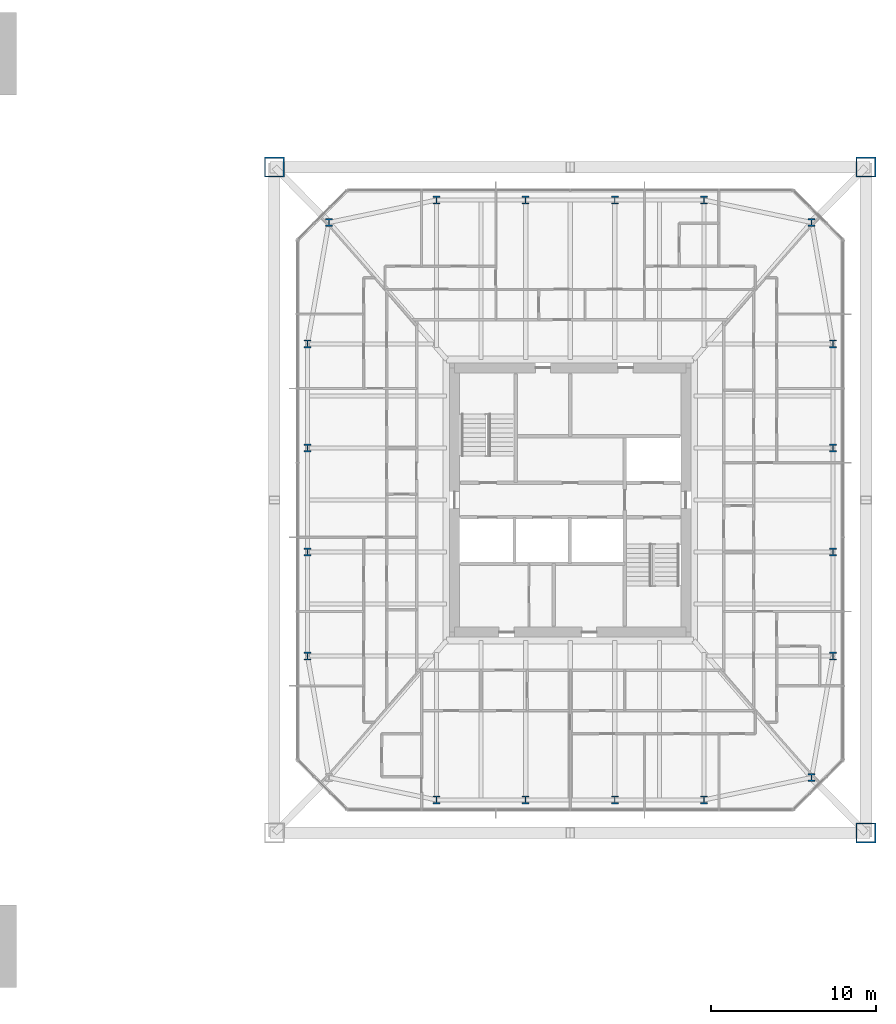
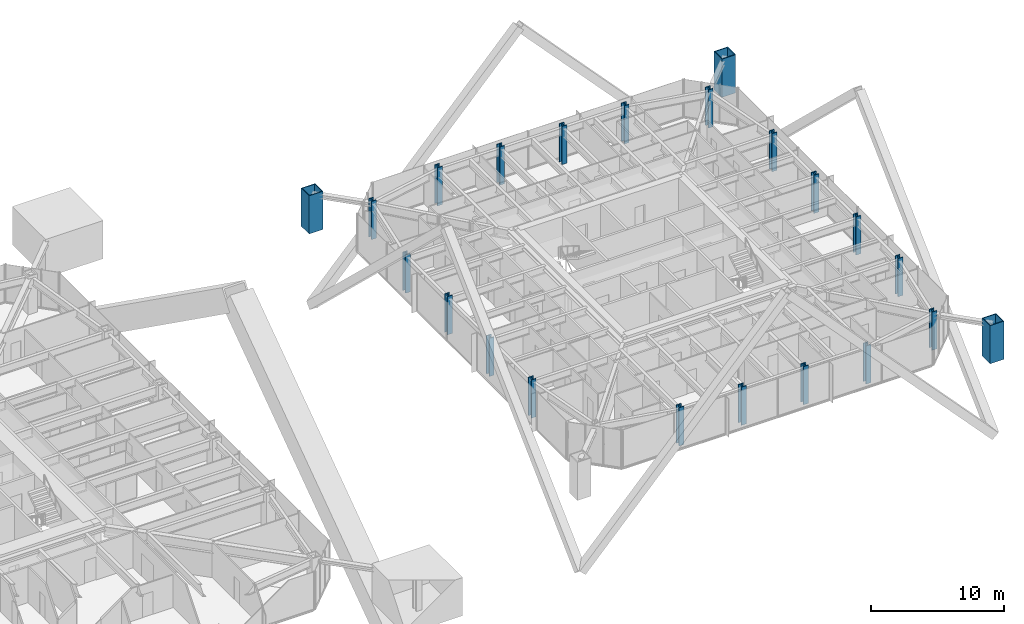
# One storey, part 2 of 28: 22 columns.
"""IFC4 building model written with IfcOpenShell, lengths in metres."""

from ifc_helpers import new_model, si_unit, direction, frame, origin, origin_2d, place, context, subcontext, project, spatial, hollow_rectangle, i_section, extrude, material, material_profile, profile_set, type_object, element, save


model = new_model("IFC4")

# Units and contexts
model_context = context("Model", 3, precision=1e-05, world=origin(), true_north=direction((0.0, 1.0)))
body_context = subcontext(model_context, "Body", "Model", "MODEL_VIEW")
ifc_project = project(units=[si_unit("LENGTHUNIT", "METRE"), si_unit("AREAUNIT", "SQUARE_METRE"), si_unit("VOLUMEUNIT", "CUBIC_METRE"), si_unit("PLANEANGLEUNIT", "RADIAN"), si_unit("MASSUNIT", "GRAM", prefix="KILO")], contexts=[model_context])

# Site, building, storey
site_placement = place(None, origin())
site = spatial("IfcSite", under=ifc_project, at=site_placement, CompositionType="ELEMENT")
building_placement = place(site_placement, origin())
building = spatial("IfcBuilding", under=site, at=building_placement, Name="Iwan Alto Co-Living Towers", CompositionType="ELEMENT")
storey_placement = place(building_placement, frame((0.0, 0.0, 43.0)))
storey = spatial("IfcBuildingStorey", under=building, at=storey_placement, Name="L11", CompositionType="ELEMENT", Elevation=43.0)

# Columns
ifc_material_1 = material(Name="Steel ASTM A572 Gr 50", Category="steel")
ifc_material_profile_1 = material_profile(ifc_material_1, hollow_rectangle(XDim=1.199951171875, YDim=1.199951171875, WallThickness=0.070068359375, at=origin_2d()), Name="BOX 1200X1200X70")
ifc_profile_set_1 = profile_set([ifc_material_profile_1], Name="Steel ASTM A572 Gr 50")
column_type_1 = type_object("IfcColumnType", Name="T2 MEGA COLUMN BOX 1200X1200X70", PredefinedType="COLUMN", material=ifc_profile_set_1)
for number, where, z_axis, x_axis, name in (
    (1, (80.89990234375, -20.14990234375, 0.0), (0.0, 0.0, 1.0), (1.0, 0.0, 0.0), "T2 mega column SE L11"),
    (2, (80.89990234375, 20.14990234375, 0.0), (0.0, 0.0, 1.0), (1.0, 0.0, 0.0), "T2 mega column NE L11"),
    (3, (45.10009765625, 20.14990234375, 0.0), (0.0, 0.0, 1.0), (1.0, 0.0, 0.0), "T2 mega column NW L11"),
):
    element("IfcColumn", number, at=place(storey_placement, frame(where, z_axis=z_axis, x_axis=x_axis)), inside=storey, type_object=column_type_1, Name=name, PredefinedType="COLUMN", context=body_context, shape_type="SweptSolid", body=[
        extrude(hollow_rectangle(XDim=1.199951171875, YDim=1.199951171875, WallThickness=0.070068359375, at=origin_2d()), origin(), (0.0, 0.0, 1.0), 3.5),
    ])
ifc_material_2 = material(Name="Steel ASTM A992 Gr 50", Category="steel")
ifc_material_profile_2 = material_profile(ifc_material_2, i_section(OverallWidth=0.424072265625, OverallDepth=0.47509765625, WebThickness=0.0478515625, FlangeThickness=0.0771484375, at=origin_2d()), Name="W14X426")
ifc_profile_set_2 = profile_set([ifc_material_profile_2], Name="Steel ASTM A992 Gr 50")
column_type_2 = type_object("IfcColumnType", Name="T2 RING COLUMN W14X426", PredefinedType="COLUMN", material=ifc_profile_set_2)
for number, where, z_axis, x_axis, name in (
    (4, (54.89990234375, -18.14990234375, 0.0), (0.0, 0.0, 1.0), (1.0, 0.0, 0.0), "T2 ring column S1 L11"),
    (5, (60.300048828125, -18.14990234375, 0.0), (0.0, 0.0, 1.0), (1.0, 0.0, 0.0), "T2 ring column S2 L11"),
    (6, (65.699951171875, -18.14990234375, 0.0), (0.0, 0.0, 1.0), (1.0, 0.0, 0.0), "T2 ring column S3 L11"),
    (7, (71.10009765625, -18.14990234375, 0.0), (0.0, 0.0, 1.0), (1.0, 0.0, 0.0), "T2 ring column S4 L11"),
    (8, (77.606201171875, -16.797119140625, 0.0), (0.0, 0.0, 1.0), (1.0, 0.0, 0.0), "T2 ring column CSE L11"),
    (9, (78.89990234375, -9.449951171875, 0.0), (0.0, 0.0, 1.0), (1.0, 0.0, 0.0), "T2 ring column E1 L11"),
    (10, (78.89990234375, -3.14990234375, 0.0), (0.0, 0.0, 1.0), (1.0, 0.0, 0.0), "T2 ring column E2 L11"),
    (11, (78.89990234375, 3.14990234375, 0.0), (0.0, 0.0, 1.0), (1.0, 0.0, 0.0), "T2 ring column E3 L11"),
    (12, (78.89990234375, 9.449951171875, 0.0), (0.0, 0.0, 1.0), (1.0, 0.0, 0.0), "T2 ring column E4 L11"),
    (13, (77.606201171875, 16.797119140625, 0.0), (0.0, 0.0, 1.0), (1.0, 0.0, 0.0), "T2 ring column CNE L11"),
    (14, (71.10009765625, 18.14990234375, 0.0), (0.0, 0.0, 1.0), (1.0, 0.0, 0.0), "T2 ring column N1 L11"),
    (15, (65.699951171875, 18.14990234375, 0.0), (0.0, 0.0, 1.0), (1.0, 0.0, 0.0), "T2 ring column N2 L11"),
    (16, (60.300048828125, 18.14990234375, 0.0), (0.0, 0.0, 1.0), (1.0, 0.0, 0.0), "T2 ring column N3 L11"),
    (17, (54.89990234375, 18.14990234375, 0.0), (0.0, 0.0, 1.0), (1.0, 0.0, 0.0), "T2 ring column N4 L11"),
    (18, (48.393798828125, 16.797119140625, 0.0), (0.0, 0.0, 1.0), (1.0, 0.0, 0.0), "T2 ring column CNW L11"),
    (19, (47.10009765625, 9.449951171875, 0.0), (0.0, 0.0, 1.0), (1.0, 0.0, 0.0), "T2 ring column W1 L11"),
    (20, (47.10009765625, 3.14990234375, 0.0), (0.0, 0.0, 1.0), (1.0, 0.0, 0.0), "T2 ring column W2 L11"),
    (21, (47.10009765625, -3.14990234375, 0.0), (0.0, 0.0, 1.0), (1.0, 0.0, 0.0), "T2 ring column W3 L11"),
    (22, (47.10009765625, -9.449951171875, 0.0), (0.0, 0.0, 1.0), (1.0, 0.0, 0.0), "T2 ring column W4 L11"),
):
    element("IfcColumn", number, at=place(storey_placement, frame(where, z_axis=z_axis, x_axis=x_axis)), inside=storey, type_object=column_type_2, Name=name, PredefinedType="COLUMN", context=body_context, shape_type="SweptSolid", body=[
        extrude(i_section(OverallWidth=0.424072265625, OverallDepth=0.47509765625, WebThickness=0.0478515625, FlangeThickness=0.0771484375, at=origin_2d()), origin(), (0.0, 0.0, 1.0), 3.5),
    ])

save(model, "model.ifc")
